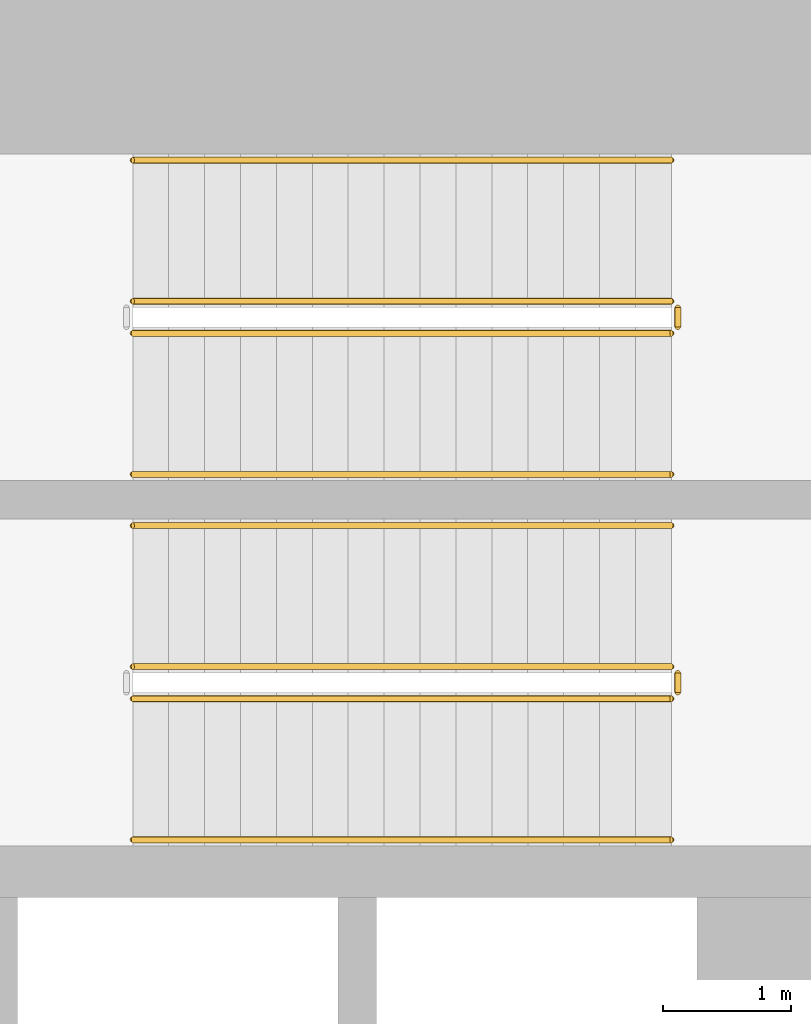
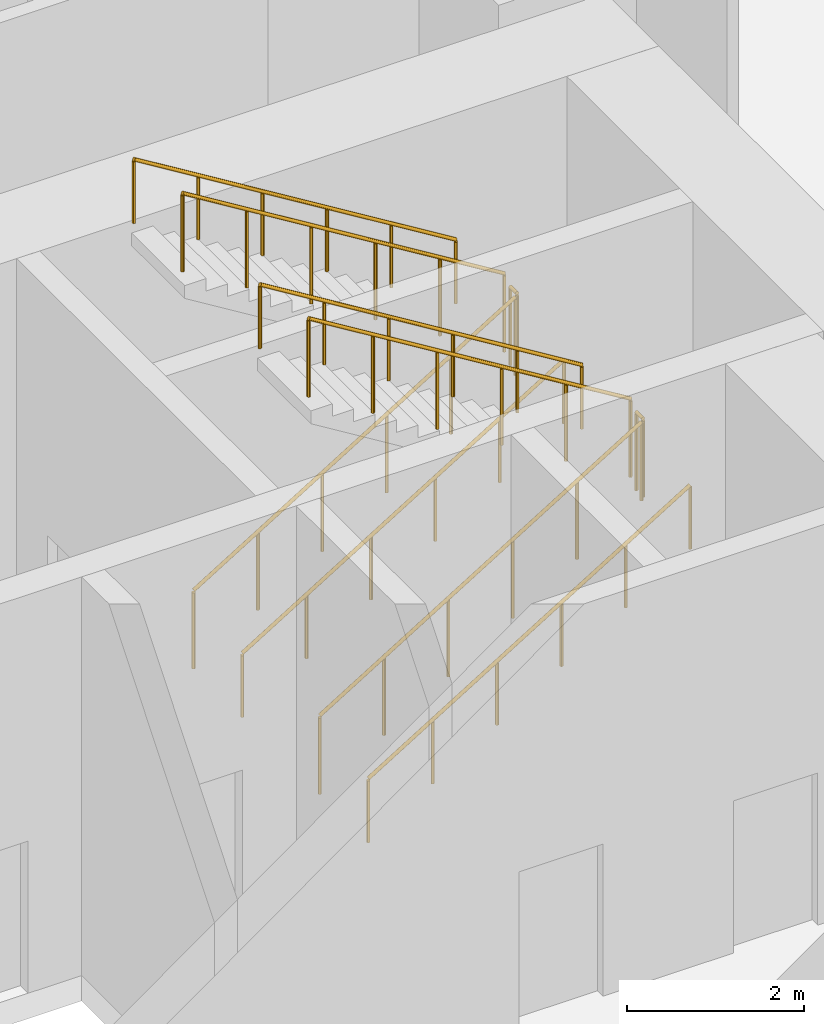
# One storey, part 12 of 13: 10 railings.
"""IFC4 building model written with IfcOpenShell, lengths in metres."""

from ifc_helpers import new_model, si_unit, direction, frame, origin, origin_2d, place, context, subcontext, project, spatial, circle, extrude, material, type_object, element, save


model = new_model("IFC4")

# Units and contexts
model_context = context("Model", 3, precision=1e-05, world=origin(), true_north=direction((0.0, 1.0)))
body_context = subcontext(model_context, "Body", "Model", "MODEL_VIEW")
ifc_project = project(units=[si_unit("LENGTHUNIT", "METRE"), si_unit("AREAUNIT", "SQUARE_METRE"), si_unit("VOLUMEUNIT", "CUBIC_METRE"), si_unit("PLANEANGLEUNIT", "RADIAN"), si_unit("MASSUNIT", "GRAM", prefix="KILO")], contexts=[model_context])

# Site, building, storey
site_placement = place(None, origin())
site = spatial("IfcSite", under=ifc_project, at=site_placement, CompositionType="ELEMENT")
building_placement = place(site_placement, origin())
building = spatial("IfcBuilding", under=site, at=building_placement, Name="Ostrand Prow Hotel Tower", CompositionType="ELEMENT")
storey_placement = place(building_placement, frame((0.0, 0.0, 13.5)))
storey = spatial("IfcBuildingStorey", under=building, at=storey_placement, Name="L02", CompositionType="ELEMENT", Elevation=13.5)

# Railings
ifc_material_1 = material(Name="Painted steel", Category="steel")
railing_type_1 = type_object("IfcRailingType", Name="Stair guard 1100", PredefinedType="GUARDRAIL", material=ifc_material_1)
railing_1_placement = place(storey_placement, frame((57.199951171875, 11.5, 0.171875)))
element("IfcRailing", 1, at=railing_1_placement, inside=storey, type_object=railing_type_1, Name="L02 ST1B stair guard 1", PredefinedType="GUARDRAIL", context=body_context, shape_type="SweptSolid", body=[
    extrude(circle(Radius=0.02392578125, at=origin_2d()), frame((0.0, 0.0, 1.076171875), z_axis=(0.852242915053, 0.0, 0.523146264196), x_axis=(0.0, 1.0, 0.0)), (0.0, 0.0, 1.0), 4.92822265625),
    extrude(circle(Radius=0.02099609375, at=origin_2d()), origin(), (0.0, 0.0, 1.0), 1.052001953125),
    extrude(circle(Radius=0.02099609375, at=origin_2d()), frame((0.840087890625, 0.0, 0.515625)), (0.0, 0.0, 1.0), 1.052001953125),
    extrude(circle(Radius=0.02099609375, at=origin_2d()), frame((1.679931640625, 0.0, 1.03125)), (0.0, 0.0, 1.0), 1.052001953125),
    extrude(circle(Radius=0.02099609375, at=origin_2d()), frame((2.52001953125, 0.0, 1.546875)), (0.0, 0.0, 1.0), 1.052001953125),
    extrude(circle(Radius=0.02099609375, at=origin_2d()), frame((3.35986328125, 0.0, 2.0625)), (0.0, 0.0, 1.0), 1.052001953125),
    extrude(circle(Radius=0.02099609375, at=origin_2d()), frame((4.199951171875, 0.0, 2.578125)), (0.0, 0.0, 1.0), 1.052001953125),
])
railing_2_placement = place(storey_placement, frame((61.449951171875, 11.550048828125, 2.75)))
element("IfcRailing", 2, at=railing_2_placement, inside=storey, type_object=railing_type_1, Name="L02 ST1B stair guard 2", PredefinedType="GUARDRAIL", context=body_context, shape_type="SweptSolid", body=[
    extrude(circle(Radius=0.02392578125, at=origin_2d()), frame((0.0, 0.0, 1.076171875), z_axis=(0.0, 1.0, 0.0), x_axis=(-1.0, 0.0, 0.0)), (0.0, 0.0, 1.0), 0.14990234375),
    extrude(circle(Radius=0.02099609375, at=origin_2d()), origin(), (0.0, 0.0, 1.0), 1.052001953125),
    extrude(circle(Radius=0.02099609375, at=origin_2d()), frame((0.0, 0.14990234375, 0.0)), (0.0, 0.0, 1.0), 1.052001953125),
])
railing_3_placement = place(storey_placement, frame((61.39990234375, 11.75, 2.921875)))
element("IfcRailing", 3, at=railing_3_placement, inside=storey, type_object=railing_type_1, Name="L02 ST1B stair guard 3", PredefinedType="GUARDRAIL", context=body_context, shape_type="SweptSolid", body=[
    extrude(circle(Radius=0.02392578125, at=origin_2d()), frame((0.0, 0.0, 1.076171875), z_axis=(-0.852242915053, 0.0, 0.523146264196), x_axis=(0.0, -1.0, 0.0)), (0.0, 0.0, 1.0), 4.92822265625),
    extrude(circle(Radius=0.02099609375, at=origin_2d()), origin(), (0.0, 0.0, 1.0), 1.052001953125),
    extrude(circle(Radius=0.02099609375, at=origin_2d()), frame((-0.840087890625, 0.0, 0.515625)), (0.0, 0.0, 1.0), 1.052001953125),
    extrude(circle(Radius=0.02099609375, at=origin_2d()), frame((-1.679931640625, 0.0, 1.03125)), (0.0, 0.0, 1.0), 1.052001953125),
    extrude(circle(Radius=0.02099609375, at=origin_2d()), frame((-2.52001953125, 0.0, 1.546875)), (0.0, 0.0, 1.0), 1.052001953125),
    extrude(circle(Radius=0.02099609375, at=origin_2d()), frame((-3.35986328125, 0.0, 2.0625)), (0.0, 0.0, 1.0), 1.052001953125),
    extrude(circle(Radius=0.02099609375, at=origin_2d()), frame((-4.199951171875, 0.0, 2.578125)), (0.0, 0.0, 1.0), 1.052001953125),
])
railing_4_placement = place(storey_placement, frame((57.199951171875, 14.35009765625, 0.171875)))
element("IfcRailing", 4, at=railing_4_placement, inside=storey, type_object=railing_type_1, Name="L02 ST3B stair guard 1", PredefinedType="GUARDRAIL", context=body_context, shape_type="SweptSolid", body=[
    extrude(circle(Radius=0.02392578125, at=origin_2d()), frame((0.0, 0.0, 1.076171875), z_axis=(0.852242915053, 0.0, 0.523146264196), x_axis=(0.0, 1.0, 0.0)), (0.0, 0.0, 1.0), 4.92822265625),
    extrude(circle(Radius=0.02099609375, at=origin_2d()), origin(), (0.0, 0.0, 1.0), 1.052001953125),
    extrude(circle(Radius=0.02099609375, at=origin_2d()), frame((0.840087890625, 0.0, 0.515625)), (0.0, 0.0, 1.0), 1.052001953125),
    extrude(circle(Radius=0.02099609375, at=origin_2d()), frame((1.679931640625, 0.0, 1.03125)), (0.0, 0.0, 1.0), 1.052001953125),
    extrude(circle(Radius=0.02099609375, at=origin_2d()), frame((2.52001953125, 0.0, 1.546875)), (0.0, 0.0, 1.0), 1.052001953125),
    extrude(circle(Radius=0.02099609375, at=origin_2d()), frame((3.35986328125, 0.0, 2.0625)), (0.0, 0.0, 1.0), 1.052001953125),
    extrude(circle(Radius=0.02099609375, at=origin_2d()), frame((4.199951171875, 0.0, 2.578125)), (0.0, 0.0, 1.0), 1.052001953125),
])
railing_5_placement = place(storey_placement, frame((61.449951171875, 14.39990234375, 2.75)))
element("IfcRailing", 5, at=railing_5_placement, inside=storey, type_object=railing_type_1, Name="L02 ST3B stair guard 2", PredefinedType="GUARDRAIL", context=body_context, shape_type="SweptSolid", body=[
    extrude(circle(Radius=0.02392578125, at=origin_2d()), frame((0.0, 0.0, 1.076171875), z_axis=(0.0, 1.0, 0.0), x_axis=(-1.0, 0.0, 0.0)), (0.0, 0.0, 1.0), 0.150146484375),
    extrude(circle(Radius=0.02099609375, at=origin_2d()), origin(), (0.0, 0.0, 1.0), 1.052001953125),
    extrude(circle(Radius=0.02099609375, at=origin_2d()), frame((0.0, 0.150146484375, 0.0)), (0.0, 0.0, 1.0), 1.052001953125),
])
railing_6_placement = place(storey_placement, frame((61.39990234375, 14.60009765625, 2.921875)))
element("IfcRailing", 6, at=railing_6_placement, inside=storey, type_object=railing_type_1, Name="L02 ST3B stair guard 3", PredefinedType="GUARDRAIL", context=body_context, shape_type="SweptSolid", body=[
    extrude(circle(Radius=0.02392578125, at=origin_2d()), frame((0.0, 0.0, 1.076171875), z_axis=(-0.852242915053, 0.0, 0.523146264196), x_axis=(0.0, -1.0, 0.0)), (0.0, 0.0, 1.0), 4.92822265625),
    extrude(circle(Radius=0.02099609375, at=origin_2d()), origin(), (0.0, 0.0, 1.0), 1.052001953125),
    extrude(circle(Radius=0.02099609375, at=origin_2d()), frame((-0.840087890625, 0.0, 0.515625)), (0.0, 0.0, 1.0), 1.052001953125),
    extrude(circle(Radius=0.02099609375, at=origin_2d()), frame((-1.679931640625, 0.0, 1.03125)), (0.0, 0.0, 1.0), 1.052001953125),
    extrude(circle(Radius=0.02099609375, at=origin_2d()), frame((-2.52001953125, 0.0, 1.546875)), (0.0, 0.0, 1.0), 1.052001953125),
    extrude(circle(Radius=0.02099609375, at=origin_2d()), frame((-3.35986328125, 0.0, 2.0625)), (0.0, 0.0, 1.0), 1.052001953125),
    extrude(circle(Radius=0.02099609375, at=origin_2d()), frame((-4.199951171875, 0.0, 2.578125)), (0.0, 0.0, 1.0), 1.052001953125),
])
ifc_material_2 = material(Name="Stainless steel", Category="steel")
railing_type_2 = type_object("IfcRailingType", Name="Stair handrail 900", PredefinedType="HANDRAIL", material=ifc_material_2)
railing_7_placement = place(storey_placement, frame((57.199951171875, 10.39990234375, 0.171875)))
element("IfcRailing", 7, at=railing_7_placement, inside=storey, type_object=railing_type_2, Name="L02 ST1B stair handrail 1", PredefinedType="HANDRAIL", context=body_context, shape_type="SweptSolid", body=[
    extrude(circle(Radius=0.02392578125, at=origin_2d()), frame((0.0, 0.0, 0.8759765625), z_axis=(0.852242915053, 0.0, 0.523146264196), x_axis=(0.0, 1.0, 0.0)), (0.0, 0.0, 1.0), 4.92822265625),
    extrude(circle(Radius=0.02099609375, at=origin_2d()), origin(), (0.0, 0.0, 1.0), 0.851806640625),
    extrude(circle(Radius=0.02099609375, at=origin_2d()), frame((0.840087890625, 0.0, 0.515625)), (0.0, 0.0, 1.0), 0.851806640625),
    extrude(circle(Radius=0.02099609375, at=origin_2d()), frame((1.679931640625, 0.0, 1.03125)), (0.0, 0.0, 1.0), 0.851806640625),
    extrude(circle(Radius=0.02099609375, at=origin_2d()), frame((2.52001953125, 0.0, 1.546875)), (0.0, 0.0, 1.0), 0.851806640625),
    extrude(circle(Radius=0.02099609375, at=origin_2d()), frame((3.35986328125, 0.0, 2.0625)), (0.0, 0.0, 1.0), 0.851806640625),
    extrude(circle(Radius=0.02099609375, at=origin_2d()), frame((4.199951171875, 0.0, 2.578125)), (0.0, 0.0, 1.0), 0.851806640625),
])
railing_8_placement = place(storey_placement, frame((61.39990234375, 12.85009765625, 2.921875)))
element("IfcRailing", 8, at=railing_8_placement, inside=storey, type_object=railing_type_2, Name="L02 ST1B stair handrail 2", PredefinedType="HANDRAIL", context=body_context, shape_type="SweptSolid", body=[
    extrude(circle(Radius=0.02392578125, at=origin_2d()), frame((0.0, 0.0, 0.8759765625), z_axis=(-0.852242915053, 0.0, 0.523146264196), x_axis=(0.0, -1.0, 0.0)), (0.0, 0.0, 1.0), 4.92822265625),
    extrude(circle(Radius=0.02099609375, at=origin_2d()), origin(), (0.0, 0.0, 1.0), 0.851806640625),
    extrude(circle(Radius=0.02099609375, at=origin_2d()), frame((-0.840087890625, 0.0, 0.515625)), (0.0, 0.0, 1.0), 0.851806640625),
    extrude(circle(Radius=0.02099609375, at=origin_2d()), frame((-1.679931640625, 0.0, 1.03125)), (0.0, 0.0, 1.0), 0.851806640625),
    extrude(circle(Radius=0.02099609375, at=origin_2d()), frame((-2.52001953125, 0.0, 1.546875)), (0.0, 0.0, 1.0), 0.851806640625),
    extrude(circle(Radius=0.02099609375, at=origin_2d()), frame((-3.35986328125, 0.0, 2.0625)), (0.0, 0.0, 1.0), 0.851806640625),
    extrude(circle(Radius=0.02099609375, at=origin_2d()), frame((-4.199951171875, 0.0, 2.578125)), (0.0, 0.0, 1.0), 0.851806640625),
])
railing_9_placement = place(storey_placement, frame((57.199951171875, 13.25, 0.171875)))
element("IfcRailing", 9, at=railing_9_placement, inside=storey, type_object=railing_type_2, Name="L02 ST3B stair handrail 1", PredefinedType="HANDRAIL", context=body_context, shape_type="SweptSolid", body=[
    extrude(circle(Radius=0.02392578125, at=origin_2d()), frame((0.0, 0.0, 0.8759765625), z_axis=(0.852242915053, 0.0, 0.523146264196), x_axis=(0.0, 1.0, 0.0)), (0.0, 0.0, 1.0), 4.92822265625),
    extrude(circle(Radius=0.02099609375, at=origin_2d()), origin(), (0.0, 0.0, 1.0), 0.851806640625),
    extrude(circle(Radius=0.02099609375, at=origin_2d()), frame((0.840087890625, 0.0, 0.515625)), (0.0, 0.0, 1.0), 0.851806640625),
    extrude(circle(Radius=0.02099609375, at=origin_2d()), frame((1.679931640625, 0.0, 1.03125)), (0.0, 0.0, 1.0), 0.851806640625),
    extrude(circle(Radius=0.02099609375, at=origin_2d()), frame((2.52001953125, 0.0, 1.546875)), (0.0, 0.0, 1.0), 0.851806640625),
    extrude(circle(Radius=0.02099609375, at=origin_2d()), frame((3.35986328125, 0.0, 2.0625)), (0.0, 0.0, 1.0), 0.851806640625),
    extrude(circle(Radius=0.02099609375, at=origin_2d()), frame((4.199951171875, 0.0, 2.578125)), (0.0, 0.0, 1.0), 0.851806640625),
])
railing_10_placement = place(storey_placement, frame((61.39990234375, 15.699951171875, 2.921875)))
element("IfcRailing", 10, at=railing_10_placement, inside=storey, type_object=railing_type_2, Name="L02 ST3B stair handrail 2", PredefinedType="HANDRAIL", context=body_context, shape_type="SweptSolid", body=[
    extrude(circle(Radius=0.02392578125, at=origin_2d()), frame((0.0, 0.0, 0.8759765625), z_axis=(-0.852242915053, 0.0, 0.523146264196), x_axis=(0.0, -1.0, 0.0)), (0.0, 0.0, 1.0), 4.92822265625),
    extrude(circle(Radius=0.02099609375, at=origin_2d()), origin(), (0.0, 0.0, 1.0), 0.851806640625),
    extrude(circle(Radius=0.02099609375, at=origin_2d()), frame((-0.840087890625, 0.0, 0.515625)), (0.0, 0.0, 1.0), 0.851806640625),
    extrude(circle(Radius=0.02099609375, at=origin_2d()), frame((-1.679931640625, 0.0, 1.03125)), (0.0, 0.0, 1.0), 0.851806640625),
    extrude(circle(Radius=0.02099609375, at=origin_2d()), frame((-2.52001953125, 0.0, 1.546875)), (0.0, 0.0, 1.0), 0.851806640625),
    extrude(circle(Radius=0.02099609375, at=origin_2d()), frame((-3.35986328125, 0.0, 2.0625)), (0.0, 0.0, 1.0), 0.851806640625),
    extrude(circle(Radius=0.02099609375, at=origin_2d()), frame((-4.199951171875, 0.0, 2.578125)), (0.0, 0.0, 1.0), 0.851806640625),
])

save(model, "model.ifc")
